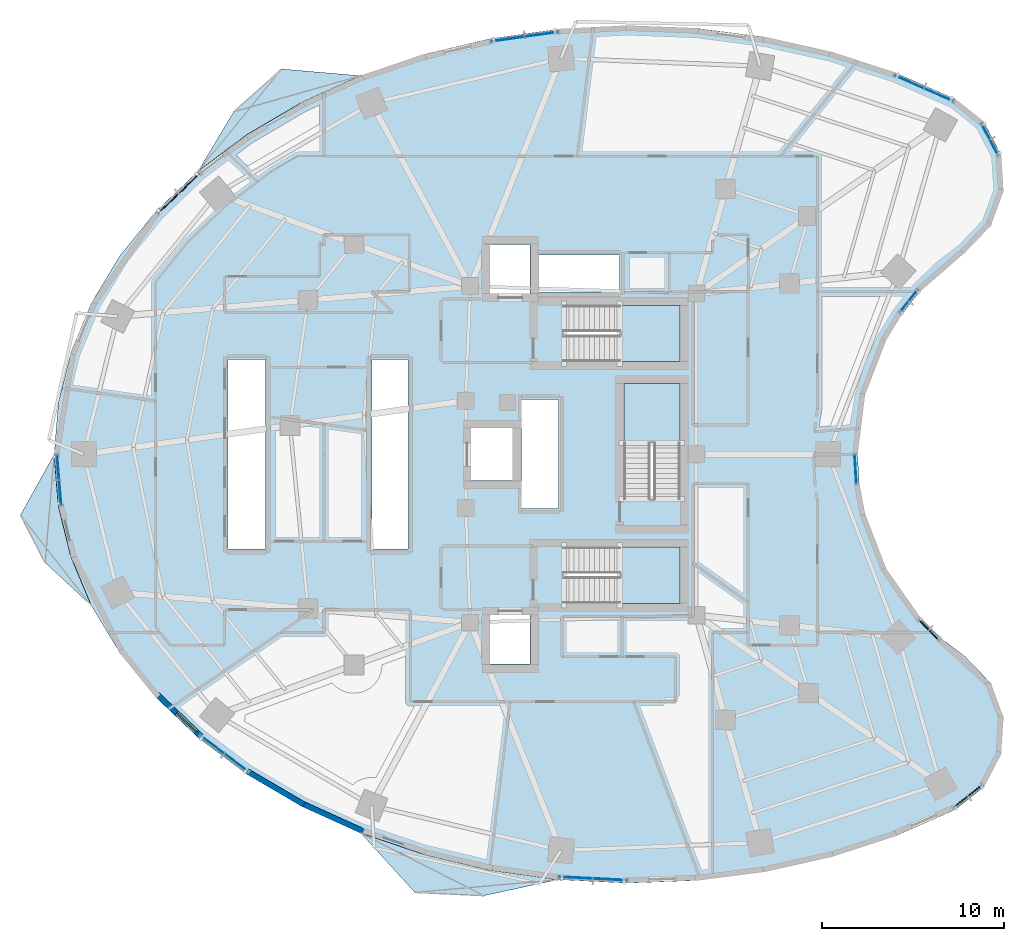
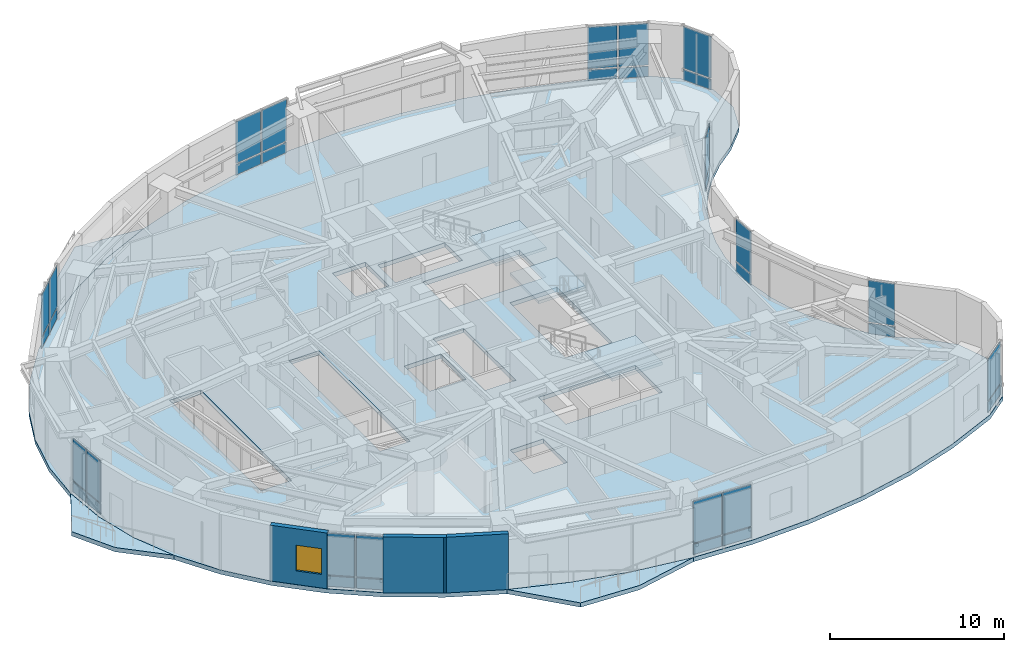
# One storey, part 7 of 16: 34 plates, 7 slabs, 3 walls, 1 window, 1 opening, 14 elements without a shape of their own.
"""IFC4 building model written with IfcOpenShell, lengths in metres."""

from ifc_helpers import new_model, si_unit, direction, frame, frame_2d, origin, origin_2d, place, context, subcontext, project, spatial, polyline, rectangle, outline, extrude, material, layer, layer_set, type_object, element, fill, aggregate, save


model = new_model("IFC4")

# Units and contexts
model_context = context("Model", 3, precision=1e-05, world=origin(), true_north=direction((0.0, 1.0)))
body_context = subcontext(model_context, "Body", "Model", "MODEL_VIEW")
ifc_project = project(units=[si_unit("LENGTHUNIT", "METRE"), si_unit("AREAUNIT", "SQUARE_METRE"), si_unit("VOLUMEUNIT", "CUBIC_METRE"), si_unit("PLANEANGLEUNIT", "RADIAN"), si_unit("MASSUNIT", "GRAM", prefix="KILO")], contexts=[model_context])

# Site, building, storey
site_placement = place(None, origin())
site = spatial("IfcSite", under=ifc_project, at=site_placement, CompositionType="ELEMENT")
building_placement = place(site_placement, origin())
building = spatial("IfcBuilding", under=site, at=building_placement, Name="Korentha Bioscience Tower", CompositionType="ELEMENT")
storey_placement = place(building_placement, frame((0.0, 0.0, 55.199951171875)))
storey = spatial("IfcBuildingStorey", under=building, at=storey_placement, Name="L12", CompositionType="ELEMENT", Elevation=55.199951171875)

# Curtain wall, plates
ifc_material_1 = material(Name="Thermally Broken Aluminium Frame", Category="aluminium")
ifc_layer_1 = layer(ifc_material_1, 0.219970703125, Name="Thermally Broken Aluminium Frame")
ifc_layer_set_1 = layer_set([ifc_layer_1], Name="Thermally Broken Aluminium Frame (CW-T2)")
curtain_wall_type_1 = type_object("IfcCurtainWallType", Name="Solar-Screened Lab Unitised Curtain Wall CW-T2", PredefinedType="USERDEFINED", material=ifc_layer_set_1)
curtain_wall_1_placement = place(storey_placement, origin())
curtain_wall_1 = element("IfcCurtainWall", 1, at=curtain_wall_1_placement, inside=storey, type_object=curtain_wall_type_1, Name="L12 Curtain Wall 01", ObjectType="UNITISED", PredefinedType="USERDEFINED")
ifc_material_2 = material(Name="Triple-Glazed Low-E Insulated Glass", Category="glass")
ifc_layer_2 = layer(ifc_material_2, 0.0439453125, Name="Triple-Glazed Low-E Insulated Glass")
ifc_layer_set_2 = layer_set([ifc_layer_2], Name="Triple-Glazed Low-E Insulated Glass (GL-44)")
plate_type = type_object("IfcPlateType", Name="Glazed Panel 44mm", PredefinedType="CURTAIN_PANEL", material=ifc_layer_set_2)
plate_1_placement = place(storey_placement, frame((50.893310546875, 46.780029296875, 0.08984375), z_axis=(0.0, 0.0, 1.0), x_axis=(-0.91593909057, 0.401317308828, 0.0)))
plate_1 = element("IfcPlate", 2, at=plate_1_placement, type_object=plate_type, Name="CW-L12-01 Bay 1 Glazed Panel 1", PredefinedType="CURTAIN_PANEL", context=body_context, shape_type="SweptSolid", body=[
    extrude(rectangle(XDim=1.701171875, YDim=0.0439453125, at=origin_2d()), origin(), (0.0, 0.0, 1.0), 0.715087890625),
])
plate_2_placement = place(storey_placement, frame((50.893310546875, 46.780029296875, 0.89501953125), z_axis=(0.0, 0.0, 1.0), x_axis=(-0.91593909057, 0.401317308828, 0.0)))
plate_2 = element("IfcPlate", 3, at=plate_2_placement, type_object=plate_type, Name="CW-L12-01 Bay 1 Glazed Panel 2", PredefinedType="CURTAIN_PANEL", context=body_context, shape_type="SweptSolid", body=[
    extrude(rectangle(XDim=1.701171875, YDim=0.0439453125, at=origin_2d()), origin(), (0.0, 0.0, 1.0), 2.9150390625),
])
plate_3_placement = place(storey_placement, frame((49.25244140625, 47.498779296875, 0.08984375), z_axis=(0.0, 0.0, 1.0), x_axis=(-0.91593909057, 0.401317308828, 0.0)))
plate_3 = element("IfcPlate", 4, at=plate_3_placement, type_object=plate_type, Name="CW-L12-01 Bay 2 Glazed Panel 1", PredefinedType="CURTAIN_PANEL", context=body_context, shape_type="SweptSolid", body=[
    extrude(rectangle(XDim=1.701171875, YDim=0.0439453125, at=origin_2d()), origin(), (0.0, 0.0, 1.0), 0.715087890625),
])
plate_4_placement = place(storey_placement, frame((49.25244140625, 47.498779296875, 0.89501953125), z_axis=(0.0, 0.0, 1.0), x_axis=(-0.91593909057, 0.401317308828, 0.0)))
plate_4 = element("IfcPlate", 5, at=plate_4_placement, type_object=plate_type, Name="CW-L12-01 Bay 2 Glazed Panel 2", PredefinedType="CURTAIN_PANEL", context=body_context, shape_type="SweptSolid", body=[
    extrude(rectangle(XDim=1.701171875, YDim=0.0439453125, at=origin_2d()), origin(), (0.0, 0.0, 1.0), 2.9150390625),
])
aggregate(curtain_wall_1, [plate_1, plate_2, plate_3, plate_4])

curtain_wall_2_placement = place(storey_placement, origin())
curtain_wall_2 = element("IfcCurtainWall", 6, at=curtain_wall_2_placement, inside=storey, type_object=curtain_wall_type_1, Name="L12 Curtain Wall 07", ObjectType="UNITISED", PredefinedType="USERDEFINED")
plate_5_placement = place(storey_placement, frame((29.0224609375, 50.11572265625, 0.08984375), z_axis=(0.0, 0.0, 1.0), x_axis=(-0.990167372968, -0.139887717511, 0.0)))
plate_5 = element("IfcPlate", 7, at=plate_5_placement, type_object=plate_type, Name="CW-L12-07 Bay 1 Glazed Panel 1", PredefinedType="CURTAIN_PANEL", context=body_context, shape_type="SweptSolid", body=[
    extrude(rectangle(XDim=1.800537109375, YDim=0.0439453125, at=origin_2d()), origin(), (0.0, 0.0, 1.0), 0.715087890625),
])
plate_6_placement = place(storey_placement, frame((29.0224609375, 50.11572265625, 0.89501953125), z_axis=(0.0, 0.0, 1.0), x_axis=(-0.990167372968, -0.139887717511, 0.0)))
plate_6 = element("IfcPlate", 8, at=plate_6_placement, type_object=plate_type, Name="CW-L12-07 Bay 1 Glazed Panel 2", PredefinedType="CURTAIN_PANEL", context=body_context, shape_type="SweptSolid", body=[
    extrude(rectangle(XDim=1.800537109375, YDim=0.0439453125, at=origin_2d()), origin(), (0.0, 0.0, 1.0), 2.9150390625),
])
plate_7_placement = place(storey_placement, frame((27.150634765625, 49.851318359375, 0.08984375), z_axis=(0.0, 0.0, 1.0), x_axis=(-0.990167372968, -0.139887717511, 0.0)))
plate_7 = element("IfcPlate", 9, at=plate_7_placement, type_object=plate_type, Name="CW-L12-07 Bay 2 Glazed Panel 1", PredefinedType="CURTAIN_PANEL", context=body_context, shape_type="SweptSolid", body=[
    extrude(rectangle(XDim=1.800537109375, YDim=0.0439453125, at=origin_2d()), origin(), (0.0, 0.0, 1.0), 0.715087890625),
])
plate_8_placement = place(storey_placement, frame((27.150634765625, 49.851318359375, 0.89501953125), z_axis=(0.0, 0.0, 1.0), x_axis=(-0.990167372968, -0.139887717511, 0.0)))
plate_8 = element("IfcPlate", 10, at=plate_8_placement, type_object=plate_type, Name="CW-L12-07 Bay 2 Glazed Panel 2", PredefinedType="CURTAIN_PANEL", context=body_context, shape_type="SweptSolid", body=[
    extrude(rectangle(XDim=1.800537109375, YDim=0.0439453125, at=origin_2d()), origin(), (0.0, 0.0, 1.0), 2.9150390625),
])
aggregate(curtain_wall_2, [plate_5, plate_6, plate_7, plate_8])

curtain_wall_3_placement = place(storey_placement, origin())
curtain_wall_3 = element("IfcCurtainWall", 11, at=curtain_wall_3_placement, inside=storey, type_object=curtain_wall_type_1, Name="L12 Curtain Wall 13", ObjectType="UNITISED", PredefinedType="USERDEFINED")
plate_9_placement = place(storey_placement, frame((9.643798828125, 41.9091796875, 0.08984375), z_axis=(0.0, 0.0, 1.0), x_axis=(-0.723641761581, -0.690175775361, 0.0)))
plate_9 = element("IfcPlate", 12, at=plate_9_placement, type_object=plate_type, Name="CW-L12-13 Bay 1 Glazed Panel 1", PredefinedType="CURTAIN_PANEL", context=body_context, shape_type="SweptSolid", body=[
    extrude(rectangle(XDim=1.5263671875, YDim=0.0439453125, at=origin_2d()), origin(), (0.0, 0.0, 1.0), 0.715087890625),
])
plate_10_placement = place(storey_placement, frame((9.643798828125, 41.9091796875, 0.89501953125), z_axis=(0.0, 0.0, 1.0), x_axis=(-0.723641761581, -0.690175775361, 0.0)))
plate_10 = element("IfcPlate", 13, at=plate_10_placement, type_object=plate_type, Name="CW-L12-13 Bay 1 Glazed Panel 2", PredefinedType="CURTAIN_PANEL", context=body_context, shape_type="SweptSolid", body=[
    extrude(rectangle(XDim=1.5263671875, YDim=0.0439453125, at=origin_2d()), origin(), (0.0, 0.0, 1.0), 2.9150390625),
])
plate_11_placement = place(storey_placement, frame((8.47412109375, 40.793701171875, 0.08984375), z_axis=(0.0, 0.0, 1.0), x_axis=(-0.723641761581, -0.690175775361, 0.0)))
plate_11 = element("IfcPlate", 14, at=plate_11_placement, type_object=plate_type, Name="CW-L12-13 Bay 2 Glazed Panel 1", PredefinedType="CURTAIN_PANEL", context=body_context, shape_type="SweptSolid", body=[
    extrude(rectangle(XDim=1.5263671875, YDim=0.0439453125, at=origin_2d()), origin(), (0.0, 0.0, 1.0), 0.715087890625),
])
plate_12_placement = place(storey_placement, frame((8.47412109375, 40.793701171875, 0.89501953125), z_axis=(0.0, 0.0, 1.0), x_axis=(-0.723641761581, -0.690175775361, 0.0)))
plate_12 = element("IfcPlate", 15, at=plate_12_placement, type_object=plate_type, Name="CW-L12-13 Bay 2 Glazed Panel 2", PredefinedType="CURTAIN_PANEL", context=body_context, shape_type="SweptSolid", body=[
    extrude(rectangle(XDim=1.5263671875, YDim=0.0439453125, at=origin_2d()), origin(), (0.0, 0.0, 1.0), 2.9150390625),
])
aggregate(curtain_wall_3, [plate_9, plate_10, plate_11, plate_12])

curtain_wall_4_placement = place(storey_placement, origin())
curtain_wall_4 = element("IfcCurtainWall", 16, at=curtain_wall_4_placement, inside=storey, type_object=curtain_wall_type_1, Name="L12 Curtain Wall 19", ObjectType="UNITISED", PredefinedType="USERDEFINED")
plate_13_placement = place(storey_placement, frame((2.4169921875, 26.302734375, 0.08984375), z_axis=(0.0, 0.0, 1.0), x_axis=(0.080820466375, -0.996728675325, 0.0)))
plate_13 = element("IfcPlate", 17, at=plate_13_placement, type_object=plate_type, Name="CW-L12-19 Bay 1 Glazed Panel 1", PredefinedType="CURTAIN_PANEL", context=body_context, shape_type="SweptSolid", body=[
    extrude(rectangle(XDim=1.324951171875, YDim=0.0439453125, at=origin_2d()), origin(), (0.0, 0.0, 1.0), 0.715087890625),
])
plate_14_placement = place(storey_placement, frame((2.4169921875, 26.302734375, 0.89501953125), z_axis=(0.0, 0.0, 1.0), x_axis=(0.080820466375, -0.996728675325, 0.0)))
plate_14 = element("IfcPlate", 18, at=plate_14_placement, type_object=plate_type, Name="CW-L12-19 Bay 1 Glazed Panel 2", PredefinedType="CURTAIN_PANEL", context=body_context, shape_type="SweptSolid", body=[
    extrude(rectangle(XDim=1.324951171875, YDim=0.0439453125, at=origin_2d()), origin(), (0.0, 0.0, 1.0), 2.9150390625),
])
plate_15_placement = place(storey_placement, frame((2.531494140625, 24.892333984375, 0.08984375), z_axis=(0.0, 0.0, 1.0), x_axis=(0.080820466375, -0.996728675325, 0.0)))
plate_15 = element("IfcPlate", 19, at=plate_15_placement, type_object=plate_type, Name="CW-L12-19 Bay 2 Glazed Panel 1", PredefinedType="CURTAIN_PANEL", context=body_context, shape_type="SweptSolid", body=[
    extrude(rectangle(XDim=1.324951171875, YDim=0.0439453125, at=origin_2d()), origin(), (0.0, 0.0, 1.0), 0.715087890625),
])
plate_16_placement = place(storey_placement, frame((2.531494140625, 24.892333984375, 0.89501953125), z_axis=(0.0, 0.0, 1.0), x_axis=(0.080820466375, -0.996728675325, 0.0)))
plate_16 = element("IfcPlate", 20, at=plate_16_placement, type_object=plate_type, Name="CW-L12-19 Bay 2 Glazed Panel 2", PredefinedType="CURTAIN_PANEL", context=body_context, shape_type="SweptSolid", body=[
    extrude(rectangle(XDim=1.324951171875, YDim=0.0439453125, at=origin_2d()), origin(), (0.0, 0.0, 1.0), 2.9150390625),
])
aggregate(curtain_wall_4, [plate_13, plate_14, plate_15, plate_16])

curtain_wall_5_placement = place(storey_placement, origin())
curtain_wall_5 = element("IfcCurtainWall", 21, at=curtain_wall_5_placement, inside=storey, type_object=curtain_wall_type_1, Name="L12 Curtain Wall 25", ObjectType="UNITISED", PredefinedType="USERDEFINED")
plate_17_placement = place(storey_placement, frame((10.892578125, 11.037109375, 0.08984375), z_axis=(0.0, 0.0, 1.0), x_axis=(0.800797909614, -0.598934644145, 0.0)))
plate_17 = element("IfcPlate", 22, at=plate_17_placement, type_object=plate_type, Name="CW-L12-25 Bay 1 Glazed Panel 1", PredefinedType="CURTAIN_PANEL", context=body_context, shape_type="SweptSolid", body=[
    extrude(rectangle(XDim=1.58544921875, YDim=0.0439453125, at=origin_2d()), origin(), (0.0, 0.0, 1.0), 0.715087890625),
])
plate_18_placement = place(storey_placement, frame((10.892578125, 11.037109375, 0.89501953125), z_axis=(0.0, 0.0, 1.0), x_axis=(0.800797909614, -0.598934644145, 0.0)))
plate_18 = element("IfcPlate", 23, at=plate_18_placement, type_object=plate_type, Name="CW-L12-25 Bay 1 Glazed Panel 2", PredefinedType="CURTAIN_PANEL", context=body_context, shape_type="SweptSolid", body=[
    extrude(rectangle(XDim=1.58544921875, YDim=0.0439453125, at=origin_2d()), origin(), (0.0, 0.0, 1.0), 2.9150390625),
])
plate_19_placement = place(storey_placement, frame((12.234375, 10.033447265625, 0.08984375), z_axis=(0.0, 0.0, 1.0), x_axis=(0.800797909614, -0.598934644145, 0.0)))
plate_19 = element("IfcPlate", 24, at=plate_19_placement, type_object=plate_type, Name="CW-L12-25 Bay 2 Glazed Panel 1", PredefinedType="CURTAIN_PANEL", context=body_context, shape_type="SweptSolid", body=[
    extrude(rectangle(XDim=1.58544921875, YDim=0.0439453125, at=origin_2d()), origin(), (0.0, 0.0, 1.0), 0.715087890625),
])
plate_20_placement = place(storey_placement, frame((12.234375, 10.033447265625, 0.89501953125), z_axis=(0.0, 0.0, 1.0), x_axis=(0.800797909614, -0.598934644145, 0.0)))
plate_20 = element("IfcPlate", 25, at=plate_20_placement, type_object=plate_type, Name="CW-L12-25 Bay 2 Glazed Panel 2", PredefinedType="CURTAIN_PANEL", context=body_context, shape_type="SweptSolid", body=[
    extrude(rectangle(XDim=1.58544921875, YDim=0.0439453125, at=origin_2d()), origin(), (0.0, 0.0, 1.0), 2.9150390625),
])
aggregate(curtain_wall_5, [plate_17, plate_18, plate_19, plate_20])

curtain_wall_6_placement = place(storey_placement, origin())
curtain_wall_6 = element("IfcCurtainWall", 26, at=curtain_wall_6_placement, inside=storey, type_object=curtain_wall_type_1, Name="L12 Curtain Wall 31", ObjectType="UNITISED", PredefinedType="USERDEFINED")
plate_21_placement = place(storey_placement, frame((30.90478515625, 3.70458984375, 0.08984375), z_axis=(0.0, 0.0, 1.0), x_axis=(0.998730551641, -0.050371472279, 0.0)))
plate_21 = element("IfcPlate", 27, at=plate_21_placement, type_object=plate_type, Name="CW-L12-31 Bay 1 Glazed Panel 1", PredefinedType="CURTAIN_PANEL", context=body_context, shape_type="SweptSolid", body=[
    extrude(rectangle(XDim=1.8134765625, YDim=0.0439453125, at=origin_2d()), origin(), (0.0, 0.0, 1.0), 0.715087890625),
])
plate_22_placement = place(storey_placement, frame((30.90478515625, 3.70458984375, 0.89501953125), z_axis=(0.0, 0.0, 1.0), x_axis=(0.998730551641, -0.050371472279, 0.0)))
plate_22 = element("IfcPlate", 28, at=plate_22_placement, type_object=plate_type, Name="CW-L12-31 Bay 1 Glazed Panel 2", PredefinedType="CURTAIN_PANEL", context=body_context, shape_type="SweptSolid", body=[
    extrude(rectangle(XDim=1.8134765625, YDim=0.0439453125, at=origin_2d()), origin(), (0.0, 0.0, 1.0), 2.9150390625),
])
plate_23_placement = place(storey_placement, frame((32.805908203125, 3.608642578125, 0.08984375), z_axis=(0.0, 0.0, 1.0), x_axis=(0.998730551641, -0.050371472279, 0.0)))
plate_23 = element("IfcPlate", 29, at=plate_23_placement, type_object=plate_type, Name="CW-L12-31 Bay 2 Glazed Panel 1", PredefinedType="CURTAIN_PANEL", context=body_context, shape_type="SweptSolid", body=[
    extrude(rectangle(XDim=1.8134765625, YDim=0.0439453125, at=origin_2d()), origin(), (0.0, 0.0, 1.0), 0.715087890625),
])
plate_24_placement = place(storey_placement, frame((32.805908203125, 3.608642578125, 0.89501953125), z_axis=(0.0, 0.0, 1.0), x_axis=(0.998730551641, -0.050371472279, 0.0)))
plate_24 = element("IfcPlate", 30, at=plate_24_placement, type_object=plate_type, Name="CW-L12-31 Bay 2 Glazed Panel 2", PredefinedType="CURTAIN_PANEL", context=body_context, shape_type="SweptSolid", body=[
    extrude(rectangle(XDim=1.8134765625, YDim=0.0439453125, at=origin_2d()), origin(), (0.0, 0.0, 1.0), 2.9150390625),
])
aggregate(curtain_wall_6, [plate_21, plate_22, plate_23, plate_24])

curtain_wall_7_placement = place(storey_placement, origin())
curtain_wall_7 = element("IfcCurtainWall", 31, at=curtain_wall_7_placement, inside=storey, type_object=curtain_wall_type_1, Name="L12 Curtain Wall 37", ObjectType="UNITISED", PredefinedType="USERDEFINED")
plate_25_placement = place(storey_placement, frame((52.4755859375, 8.19140625, 0.08984375), z_axis=(0.0, 0.0, 1.0), x_axis=(0.782287851332, 0.62291710336, 0.0)))
plate_25 = element("IfcPlate", 32, at=plate_25_placement, type_object=plate_type, Name="CW-L12-37 Bay 1 Glazed Panel 1", PredefinedType="CURTAIN_PANEL", context=body_context, shape_type="SweptSolid", body=[
    extrude(rectangle(XDim=1.927734375, YDim=0.0439453125, at=origin_2d()), origin(), (0.0, 0.0, 1.0), 0.715087890625),
])
plate_26_placement = place(storey_placement, frame((52.4755859375, 8.19140625, 0.89501953125), z_axis=(0.0, 0.0, 1.0), x_axis=(0.782287851332, 0.62291710336, 0.0)))
plate_26 = element("IfcPlate", 33, at=plate_26_placement, type_object=plate_type, Name="CW-L12-37 Bay 1 Glazed Panel 2", PredefinedType="CURTAIN_PANEL", context=body_context, shape_type="SweptSolid", body=[
    extrude(rectangle(XDim=1.927734375, YDim=0.0439453125, at=origin_2d()), origin(), (0.0, 0.0, 1.0), 2.9150390625),
])
aggregate(curtain_wall_7, [plate_25, plate_26])

curtain_wall_8_placement = place(storey_placement, origin())
curtain_wall_8 = element("IfcCurtainWall", 34, at=curtain_wall_8_placement, inside=storey, type_object=curtain_wall_type_1, Name="L12 Curtain Wall 43", ObjectType="UNITISED", PredefinedType="USERDEFINED")
plate_27_placement = place(storey_placement, frame((50.333251953125, 17.335693359375, 0.08984375), z_axis=(0.0, 0.0, 1.0), x_axis=(-0.713279246754, 0.700879958445, 0.0)))
plate_27 = element("IfcPlate", 35, at=plate_27_placement, type_object=plate_type, Name="CW-L12-43 Bay 1 Glazed Panel 1", PredefinedType="CURTAIN_PANEL", context=body_context, shape_type="SweptSolid", body=[
    extrude(rectangle(XDim=1.537841796875, YDim=0.0439453125, at=origin_2d()), origin(), (0.0, 0.0, 1.0), 0.715087890625),
])
plate_28_placement = place(storey_placement, frame((50.333251953125, 17.335693359375, 0.89501953125), z_axis=(0.0, 0.0, 1.0), x_axis=(-0.713279246754, 0.700879958445, 0.0)))
plate_28 = element("IfcPlate", 36, at=plate_28_placement, type_object=plate_type, Name="CW-L12-43 Bay 1 Glazed Panel 2", PredefinedType="CURTAIN_PANEL", context=body_context, shape_type="SweptSolid", body=[
    extrude(rectangle(XDim=1.537841796875, YDim=0.0439453125, at=origin_2d()), origin(), (0.0, 0.0, 1.0), 2.9150390625),
])
aggregate(curtain_wall_8, [plate_27, plate_28])

ifc_layer_3 = layer(ifc_material_1, 0.219970703125, Name="Thermally Broken Aluminium Frame")
ifc_layer_set_3 = layer_set([ifc_layer_3], Name="Thermally Broken Aluminium Frame (CW-T1)")
curtain_wall_type_2 = type_object("IfcCurtainWallType", Name="Standard Bioscience Lab Unitised Curtain Wall CW-T1", PredefinedType="USERDEFINED", material=ifc_layer_set_3)
curtain_wall_9_placement = place(storey_placement, origin())
curtain_wall_9 = element("IfcCurtainWall", 37, at=curtain_wall_9_placement, inside=storey, type_object=curtain_wall_type_2, Name="L12 Curtain Wall 49", ObjectType="UNITISED", PredefinedType="USERDEFINED")
plate_29_placement = place(storey_placement, frame((46.305908203125, 26.1728515625, 0.08984375), z_axis=(0.0, 0.0, 1.0), x_axis=(-0.061008272998, 0.998137260413, 0.0)))
plate_29 = element("IfcPlate", 38, at=plate_29_placement, type_object=plate_type, Name="CW-L12-49 Bay 1 Glazed Panel 1", PredefinedType="CURTAIN_PANEL", context=body_context, shape_type="SweptSolid", body=[
    extrude(rectangle(XDim=1.537841796875, YDim=0.0439453125, at=origin_2d()), origin(), (0.0, 0.0, 1.0), 0.715087890625),
])
plate_30_placement = place(storey_placement, frame((46.305908203125, 26.1728515625, 0.89501953125), z_axis=(0.0, 0.0, 1.0), x_axis=(-0.061008272998, 0.998137260413, 0.0)))
plate_30 = element("IfcPlate", 39, at=plate_30_placement, type_object=plate_type, Name="CW-L12-49 Bay 1 Glazed Panel 2", PredefinedType="CURTAIN_PANEL", context=body_context, shape_type="SweptSolid", body=[
    extrude(rectangle(XDim=1.537841796875, YDim=0.0439453125, at=origin_2d()), origin(), (0.0, 0.0, 1.0), 2.9150390625),
])
aggregate(curtain_wall_9, [plate_29, plate_30])

curtain_wall_10_placement = place(storey_placement, origin())
curtain_wall_10 = element("IfcCurtainWall", 40, at=curtain_wall_10_placement, inside=storey, type_object=curtain_wall_type_1, Name="L12 Curtain Wall 55", ObjectType="UNITISED", PredefinedType="USERDEFINED")
plate_31_placement = place(storey_placement, frame((49.226318359375, 35.434814453125, 0.08984375), z_axis=(0.0, 0.0, 1.0), x_axis=(0.622520324648, 0.782603632371, 0.0)))
plate_31 = element("IfcPlate", 41, at=plate_31_placement, type_object=plate_type, Name="CW-L12-55 Bay 1 Glazed Panel 1", PredefinedType="CURTAIN_PANEL", context=body_context, shape_type="SweptSolid", body=[
    extrude(rectangle(XDim=1.537841796875, YDim=0.0439453125, at=origin_2d()), origin(), (0.0, 0.0, 1.0), 0.715087890625),
])
plate_32_placement = place(storey_placement, frame((49.226318359375, 35.434814453125, 0.89501953125), z_axis=(0.0, 0.0, 1.0), x_axis=(0.622520324648, 0.782603632371, 0.0)))
plate_32 = element("IfcPlate", 42, at=plate_32_placement, type_object=plate_type, Name="CW-L12-55 Bay 1 Glazed Panel 2", PredefinedType="CURTAIN_PANEL", context=body_context, shape_type="SweptSolid", body=[
    extrude(rectangle(XDim=1.537841796875, YDim=0.0439453125, at=origin_2d()), origin(), (0.0, 0.0, 1.0), 2.9150390625),
])
aggregate(curtain_wall_10, [plate_31, plate_32])

curtain_wall_11_placement = place(storey_placement, origin())
curtain_wall_11 = element("IfcCurtainWall", 43, at=curtain_wall_11_placement, inside=storey, type_object=curtain_wall_type_1, Name="L12 Curtain Wall 61", ObjectType="UNITISED", PredefinedType="USERDEFINED")
plate_33_placement = place(storey_placement, frame((53.6962890625, 44.32958984375, 0.08984375), z_axis=(0.0, 0.0, 1.0), x_axis=(-0.463008597697, 0.886353788539, 0.0)))
plate_33 = element("IfcPlate", 44, at=plate_33_placement, type_object=plate_type, Name="CW-L12-61 Bay 1 Glazed Panel 1", PredefinedType="CURTAIN_PANEL", context=body_context, shape_type="SweptSolid", body=[
    extrude(rectangle(XDim=1.927734375, YDim=0.0439453125, at=origin_2d()), origin(), (0.0, 0.0, 1.0), 0.715087890625),
])
plate_34_placement = place(storey_placement, frame((53.6962890625, 44.32958984375, 0.89501953125), z_axis=(0.0, 0.0, 1.0), x_axis=(-0.463008597697, 0.886353788539, 0.0)))
plate_34 = element("IfcPlate", 45, at=plate_34_placement, type_object=plate_type, Name="CW-L12-61 Bay 1 Glazed Panel 2", PredefinedType="CURTAIN_PANEL", context=body_context, shape_type="SweptSolid", body=[
    extrude(rectangle(XDim=1.927734375, YDim=0.0439453125, at=origin_2d()), origin(), (0.0, 0.0, 1.0), 2.9150390625),
])
aggregate(curtain_wall_11, [plate_33, plate_34])

# Slab
ifc_material_3 = material(Name="Concrete C50", Category="concrete")
ifc_layer_4 = layer(ifc_material_3, 0.300048828125, Name="Concrete C50")
ifc_layer_set_4 = layer_set([ifc_layer_4], Name="Concrete C50 (SL-L300)")
slab_type_1 = type_object("IfcSlabType", Name="Laboratory Vibration-Controlled Slab 300", PredefinedType="FLOOR", material=ifc_layer_set_4)
slab_1_placement = place(storey_placement, frame((0.0, 0.0, -0.300048828125)))
element("IfcSlab", 46, at=slab_1_placement, inside=storey, type_object=slab_type_1, Name="L12 Tower Structural Floor Slab", PredefinedType="FLOOR", context=body_context, shape_type="SweptSolid", body=[
    extrude(outline(polyline([(51.7822265625, 46.565185546875), (48.49169921875, 48.0068359375), (44.9921875, 49.145263671875), (41.33349609375, 49.9638671875), (37.569091796875, 50.450927734375), (33.75341796875, 50.599365234375), (29.94091796875, 50.406982421875), (26.187255859375, 49.876708984375), (22.54638671875, 49.01611328125), (19.07080078125, 47.837646484375), (15.810791015625, 46.358154296875), (12.8134765625, 44.599365234375), (10.1220703125, 42.58642578125), (7.775390625, 40.348388671875), (5.807373046875, 37.91748046875), (4.246337890625, 35.3291015625), (3.114990234375, 32.62060546875), (2.4296875, 29.830810546875), (2.199951171875, 27.0), (2.4296875, 24.169189453125), (3.114990234375, 21.37939453125), (4.246337890625, 18.6708984375), (5.807373046875, 16.08251953125), (7.775390625, 13.651611328125), (10.1220703125, 11.41357421875), (12.8134765625, 9.400634765625), (15.810791015625, 7.641845703125), (19.07080078125, 6.162353515625), (22.54638671875, 4.98388671875), (26.187255859375, 4.123291015625), (29.94091796875, 3.593017578125), (33.75341796875, 3.400634765625), (37.569091796875, 3.549072265625), (41.33349609375, 4.0361328125), (44.9921875, 4.854736328125), (48.49169921875, 5.9931640625), (51.7822265625, 7.434814453125), (53.368408203125, 8.69775390625), (54.307373046875, 10.4951171875), (54.4384765625, 12.518310546875), (53.739013671875, 14.421630859375), (52.3291015625, 15.878662109375), (51.029541015625, 16.875732421875), (49.861328125, 18.023681640625), (48.841796875, 19.3056640625), (47.98583984375, 20.7021484375), (47.306640625, 22.192626953125), (46.814208984375, 23.754638671875), (46.515625, 25.365234375), (46.415771484375, 27.0), (46.515625, 28.634765625), (46.814208984375, 30.245361328125), (47.306640625, 31.807373046875), (47.98583984375, 33.2978515625), (48.841796875, 34.6943359375), (49.861328125, 35.976318359375), (51.029541015625, 37.124267578125), (52.3291015625, 38.121337890625), (53.739013671875, 39.578369140625), (54.4384765625, 41.481689453125), (54.307373046875, 43.5048828125), (53.368408203125, 45.30224609375), (51.7822265625, 46.565185546875)]), holes=[polyline([(30.25, 32.10009765625), (36.64990234375, 32.10009765625), (36.64990234375, 35.199951171875), (30.25, 35.199951171875), (30.25, 32.10009765625)]), polyline([(30.25, 18.800048828125), (36.64990234375, 18.800048828125), (36.64990234375, 21.89990234375), (30.25, 21.89990234375), (30.25, 18.800048828125)]), polyline([(36.64990234375, 24.550048828125), (36.64990234375, 30.89990234375), (33.550048828125, 30.89990234375), (33.550048828125, 24.550048828125), (36.64990234375, 24.550048828125)]), polyline([(11.780029296875, 21.780029296875), (13.820068359375, 21.780029296875), (13.820068359375, 32.219970703125), (11.780029296875, 32.219970703125), (11.780029296875, 21.780029296875)]), polyline([(19.679931640625, 21.780029296875), (21.669921875, 21.780029296875), (21.669921875, 32.219970703125), (19.679931640625, 32.219970703125), (19.679931640625, 21.780029296875)]), polyline([(27.929931640625, 24.030029296875), (29.969970703125, 24.030029296875), (29.969970703125, 30.02001953125), (27.929931640625, 30.02001953125), (27.929931640625, 24.030029296875)]), polyline([(28.860107421875, 35.93994140625), (33.31005859375, 35.93994140625), (33.31005859375, 37.9599609375), (28.860107421875, 37.9599609375), (28.860107421875, 35.93994140625)]), polyline([(26.199951171875, 15.449951171875), (28.39990234375, 15.449951171875), (28.39990234375, 18.14990234375), (26.199951171875, 18.14990234375), (26.199951171875, 15.449951171875)]), polyline([(26.199951171875, 35.85009765625), (28.39990234375, 35.85009765625), (28.39990234375, 38.550048828125), (26.199951171875, 38.550048828125), (26.199951171875, 35.85009765625)]), polyline([(25.14990234375, 25.550048828125), (27.550048828125, 25.550048828125), (27.550048828125, 28.449951171875), (25.14990234375, 28.449951171875), (25.14990234375, 25.550048828125)])]), origin(), (0.0, 0.0, 1.0), 0.300048828125),
])

# Stair, slab
ifc_material_4 = material(Name="Precast Concrete C50", Category="concrete")
stair_type = type_object("IfcStairType", Name="Core Exit Dog-Leg Stair 1450", PredefinedType="HALF_TURN_STAIR", material=ifc_material_4)
stair_1_placement = place(storey_placement, origin())
stair_1 = element("IfcStair", 47, at=stair_1_placement, inside=storey, type_object=stair_type, Name="L12 Tower North Pressurized Exit Stair ST-1", PredefinedType="HALF_TURN_STAIR")
ifc_layer_5 = layer(ifc_material_3, 0.199951171875, Name="Concrete C50")
ifc_layer_set_5 = layer_set([ifc_layer_5], Name="Concrete C50 (SL-LND)")
slab_type_2 = type_object("IfcSlabType", Name="Landing Slab 200", PredefinedType="LANDING", material=ifc_layer_set_5)
slab_2_placement = place(storey_placement, frame((0.0, 0.0, 1.900146484375)))
slab_2 = element("IfcSlab", 48, at=slab_2_placement, type_object=slab_type_2, Name="ST-1 landing 1", PredefinedType="LANDING", context=body_context, shape_type="SweptSolid", body=[
    extrude(outline(polyline([(33.330078125, 32.10009765625), (36.64990234375, 32.10009765625), (36.64990234375, 35.199951171875), (33.330078125, 35.199951171875), (33.330078125, 32.10009765625)])), origin(), (0.0, 0.0, 1.0), 0.199951171875),
])
aggregate(stair_1, [slab_2])

stair_2_placement = place(storey_placement, origin())
stair_2 = element("IfcStair", 49, at=stair_2_placement, inside=storey, type_object=stair_type, Name="L12 Tower South Pressurized Exit Stair ST-2", PredefinedType="HALF_TURN_STAIR")
slab_3_placement = place(storey_placement, frame((0.0, 0.0, 1.900146484375)))
slab_3 = element("IfcSlab", 50, at=slab_3_placement, type_object=slab_type_2, Name="ST-2 landing 1", PredefinedType="LANDING", context=body_context, shape_type="SweptSolid", body=[
    extrude(outline(polyline([(33.330078125, 18.800048828125), (36.64990234375, 18.800048828125), (36.64990234375, 21.89990234375), (33.330078125, 21.89990234375), (33.330078125, 18.800048828125)])), origin(), (0.0, 0.0, 1.0), 0.199951171875),
])
aggregate(stair_2, [slab_3])

stair_3_placement = place(storey_placement, origin())
stair_3 = element("IfcStair", 51, at=stair_3_placement, inside=storey, type_object=stair_type, Name="L12 Tower Central Pressurized Exit Stair ST-3", PredefinedType="HALF_TURN_STAIR")
slab_4_placement = place(storey_placement, frame((0.0, 0.0, 1.900146484375)))
slab_4 = element("IfcSlab", 52, at=slab_4_placement, type_object=slab_type_2, Name="ST-3 landing 1", PredefinedType="LANDING", context=body_context, shape_type="SweptSolid", body=[
    extrude(outline(polyline([(36.64990234375, 27.6298828125), (36.64990234375, 30.89990234375), (33.550048828125, 30.89990234375), (33.550048828125, 27.6298828125), (36.64990234375, 27.6298828125)])), origin(), (0.0, 0.0, 1.0), 0.199951171875),
])
aggregate(stair_3, [slab_4])

# Slabs
ifc_layer_6 = layer(ifc_material_3, 0.300048828125, Name="Concrete C50")
ifc_layer_set_6 = layer_set([ifc_layer_6], Name="Concrete C50 (BS-240)")
slab_type_3 = type_object("IfcSlabType", Name="Sawtooth Sun-Ledge Balcony Slab 240", PredefinedType="USERDEFINED", material=ifc_layer_set_6)
slab_5_placement = place(storey_placement, frame((0.0, 0.0, -0.300048828125)))
element("IfcSlab", 53, at=slab_5_placement, inside=storey, type_object=slab_type_3, Name="L12 Sun-Ledge Balcony 01", ObjectType="BALCONY", PredefinedType="USERDEFINED", context=body_context, shape_type="SweptSolid", body=[
    extrude(outline(polyline([(10.1220703125, 42.58642578125), (12.8134765625, 44.599365234375), (15.810791015625, 46.358154296875), (19.07080078125, 47.837646484375), (14.72265625, 48.21240234375), (12.07958984375, 45.849853515625), (10.1220703125, 42.58642578125)])), origin(), (0.0, 0.0, 1.0), 0.300048828125),
])
slab_6_placement = place(storey_placement, frame((0.0, 0.0, -0.300048828125)))
element("IfcSlab", 54, at=slab_6_placement, inside=storey, type_object=slab_type_3, Name="L12 Sun-Ledge Balcony 02", ObjectType="BALCONY", PredefinedType="USERDEFINED", context=body_context, shape_type="SweptSolid", body=[
    extrude(outline(polyline([(4.246337890625, 18.6708984375), (3.114990234375, 21.37939453125), (2.4296875, 24.169189453125), (2.199951171875, 27.0), (0.341796875, 23.65625), (1.706787109375, 21.03369140625), (4.246337890625, 18.6708984375)])), origin(), (0.0, 0.0, 1.0), 0.300048828125),
])
slab_7_placement = place(storey_placement, frame((0.0, 0.0, -0.300048828125)))
element("IfcSlab", 55, at=slab_7_placement, inside=storey, type_object=slab_type_3, Name="L12 Sun-Ledge Balcony 03", ObjectType="BALCONY", PredefinedType="USERDEFINED", context=body_context, shape_type="SweptSolid", body=[
    extrude(outline(polyline([(29.94091796875, 3.593017578125), (26.187255859375, 4.123291015625), (22.54638671875, 4.98388671875), (19.07080078125, 6.162353515625), (22.0517578125, 2.8916015625), (25.853759765625, 2.712158203125), (29.94091796875, 3.593017578125)])), origin(), (0.0, 0.0, 1.0), 0.300048828125),
])

# Wall, opening, window
ifc_material_5 = material(Name="Honed Limestone Precast Concrete C40", Category="masonry")
ifc_layer_7 = layer(ifc_material_5, 0.300048828125, Name="Honed Limestone Precast Concrete C40")
ifc_layer_set_7 = layer_set([ifc_layer_7], Name="Honed Limestone Precast Concrete C40 (EW-ST300)")
wall_type = type_object("IfcWallType", Name="Honed Limestone Cavity Spandrel Wall 300", PredefinedType="STANDARD", material=ifc_layer_set_7)
wall_1_placement = place(storey_placement, frame((7.84228515625, 13.808837890625, 0.0), z_axis=(0.0, 0.0, 1.0), x_axis=(0.723678516117, -0.690137236578, 0.0)))
wall_1 = element("IfcWall", 56, at=wall_1_placement, inside=storey, type_object=wall_type, Name="L12 Honed Limestone Spandrel Wall 24", PredefinedType="STANDARD", context=body_context, shape_type="SweptSolid", body=[
    extrude(rectangle(XDim=3.36279296875, YDim=0.300048828125, at=frame_2d((1.681396484375, 0.0))), origin(), (0.0, 0.0, 1.0), 3.900146484375),
])
opening_placement = place(wall_1_placement, frame((1.518310546875, 0.0, 0.949951171875)))
opening = element("IfcOpeningElement", 57, at=opening_placement, cuts=wall_1, Name="Opening WN-02", PredefinedType="OPENING", context=body_context, shape_type="SweptSolid", body=[
    extrude(rectangle(XDim=1.5, YDim=1.800048828125, at=frame_2d((0.75, 0.89990234375))), frame((0.0, 0.1650390625, 0.0), z_axis=(0.0, -1.0, 0.0), x_axis=(1.0, 0.0, 0.0)), (0.0, 0.0, 1.0), 0.329833984375),
])
ifc_material_6 = material(Name="Thermally Broken Aluminium Triple Glazing", Category="aluminium")
window_type = type_object("IfcWindowType", Name="Acoustic Operable Office Window 1500x1800", PartitioningType="DOUBLE_PANEL_VERTICAL", PredefinedType="WINDOW", material=ifc_material_6)
window_placement = place(opening_placement, origin())
window = element("IfcWindow", 58, at=window_placement, inside=storey, type_object=window_type, Name="L12 Facade Window 24", OverallHeight=1.800048828125, OverallWidth=1.5, PartitioningType="DOUBLE_PANEL_VERTICAL", PredefinedType="WINDOW", context=body_context, shape_type="SweptSolid", body=[
    extrude(rectangle(XDim=1.5, YDim=1.800048828125, at=frame_2d((0.75, 0.89990234375))), frame((0.0, 0.030029296875, 0.0), z_axis=(0.0, -1.0, 0.0), x_axis=(1.0, 0.0, 0.0)), (0.0, 0.0, 1.0), 0.06005859375),
])
fill(opening, window)

# Walls
wall_2_placement = place(storey_placement, frame((12.8154296875, 9.56201171875, 0.0), z_axis=(0.0, 0.0, 1.0), x_axis=(0.8624654944, -0.506115867139, 0.0)))
element("IfcWall", 59, at=wall_2_placement, inside=storey, type_object=wall_type, Name="L12 Limestone Perimeter Closure Wall 26", PredefinedType="STANDARD", context=body_context, shape_type="SweptSolid", body=[
    extrude(rectangle(XDim=3.63525390625, YDim=0.300048828125, at=frame_2d((1.817626953125, 0.0))), origin(), (0.0, 0.0, 1.0), 3.900146484375),
])
wall_3_placement = place(storey_placement, frame((15.7958984375, 7.80224609375, 0.0), z_axis=(0.0, 0.0, 1.0), x_axis=(0.910623406862, -0.413237233166, 0.0)))
element("IfcWall", 60, at=wall_3_placement, inside=storey, type_object=wall_type, Name="L12 Limestone Perimeter Closure Wall 27", PredefinedType="STANDARD", context=body_context, shape_type="SweptSolid", body=[
    extrude(rectangle(XDim=3.73974609375, YDim=0.300048828125, at=frame_2d((1.869873046875, 0.0))), origin(), (0.0, 0.0, 1.0), 3.900146484375),
])

save(model, "model.ifc")
